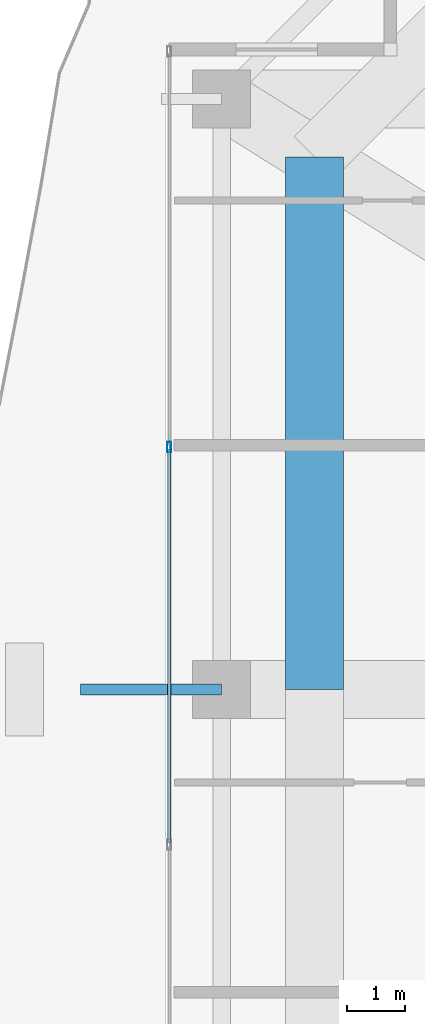
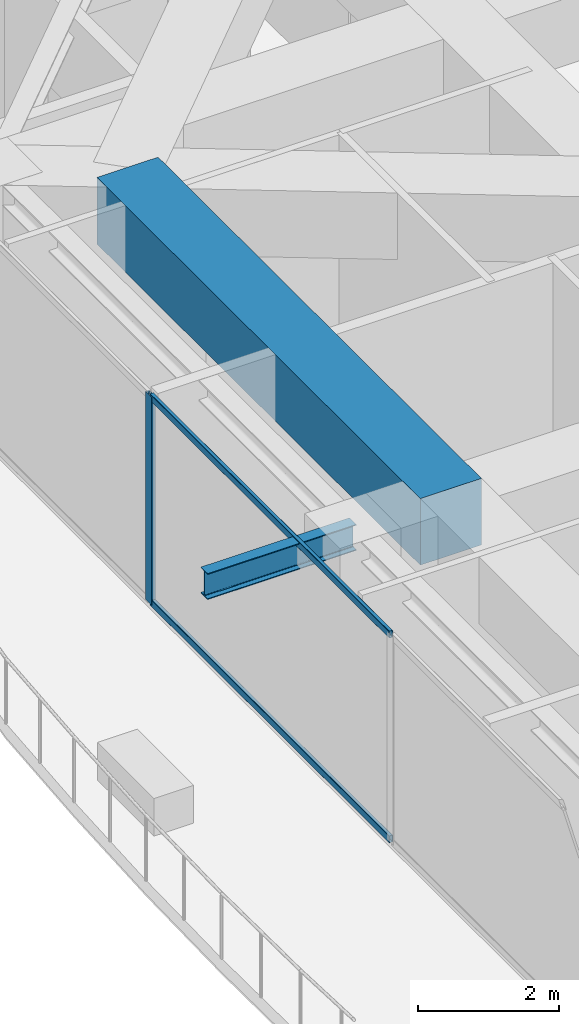
# One storey, part 11 of 40: 3 members, 2 beams, 1 element without a shape of its own.
"""IFC4 building model written with IfcOpenShell, lengths in metres."""

from ifc_helpers import new_model, si_unit, direction, frame, origin, origin_2d, place, context, subcontext, project, spatial, rectangle, hollow_rectangle, i_section, extrude, source, transform, mapped, material, layer, layer_set, material_profile, profile_set, type_object, element, aggregate, save


model = new_model("IFC4")

# Units and contexts
model_context = context("Model", 3, precision=1e-05, world=origin(), true_north=direction((0.0, 1.0)))
body_context = subcontext(model_context, "Body", "Model", "MODEL_VIEW")
ifc_project = project(units=[si_unit("LENGTHUNIT", "METRE"), si_unit("AREAUNIT", "SQUARE_METRE"), si_unit("VOLUMEUNIT", "CUBIC_METRE"), si_unit("PLANEANGLEUNIT", "RADIAN"), si_unit("MASSUNIT", "GRAM", prefix="KILO")], contexts=[model_context])

# Site, building, storey
site_placement = place(None, origin())
site = spatial("IfcSite", under=ifc_project, at=site_placement, CompositionType="ELEMENT")
building_placement = place(site_placement, origin())
building = spatial("IfcBuilding", under=site, at=building_placement, Name="Serunith Strait Residences", CompositionType="ELEMENT")
storey_placement = place(building_placement, frame((0.0, 0.0, 333.949951171875)))
storey = spatial("IfcBuildingStorey", under=building, at=storey_placement, Name="L83", CompositionType="ELEMENT", Elevation=333.949951171875)

# Beams
ifc_material_1 = material(Name="Concrete C80/95", Category="concrete")
ifc_material_profile_1 = material_profile(ifc_material_1, rectangle(XDim=1.0, YDim=1.14990234375, at=origin_2d()), Name="RC 1000x1150")
ifc_profile_set_1 = profile_set([ifc_material_profile_1], Name="Concrete C80/95")
beam_type_1 = type_object("IfcBeamType", Name="BM-XFER-1000x1150", PredefinedType="BEAM", material=ifc_profile_set_1)
shared_shape_1 = source(origin(), body_context, "Body", "SweptSolid", [
    extrude(rectangle(XDim=1.0, YDim=1.14990234375, at=origin_2d()), origin(), (0.0, 0.0, 1.0), 9.150146484375),
])
beam_1_placement = place(storey_placement, frame((11.699951171875, 38.550048828125, 3.03515625), z_axis=(0.0, -1.0, 0.0), x_axis=(1.0, 0.0, 0.0)))
element("IfcBeam", 1, at=beam_1_placement, inside=storey, type_object=beam_type_1, Name="L83 Flare Upper Ring Transfer Girder 13", PredefinedType="BEAM", context=body_context, shape_type="MappedRepresentation", body=[
    mapped(shared_shape_1, transform((0.0, 0.0, 0.0), scale=1.0)),
])
ifc_material_2 = material(Name="Steel S355J2", Category="steel")
ifc_material_profile_2 = material_profile(ifc_material_2, i_section(OverallWidth=0.18994140625, OverallDepth=0.449951171875, WebThickness=0.009521484375, FlangeThickness=0.0146484375, FilletRadius=0.02099609375, at=origin_2d()), Name="IPE 450")
ifc_profile_set_2 = profile_set([ifc_material_profile_2], Name="Steel S355J2")
beam_type_2 = type_object("IfcBeamType", Name="BM-IPE450", PredefinedType="JOIST", material=ifc_profile_set_2)
shared_shape_2 = source(origin(), body_context, "Body", "SweptSolid", [
    extrude(i_section(OverallWidth=0.18994140625, OverallDepth=0.449951171875, WebThickness=0.009521484375, FlangeThickness=0.0146484375, FilletRadius=0.02099609375, at=origin_2d()), origin(), (0.0, 0.0, 1.0), 2.42822265625),
])
beam_2_placement = place(storey_placement, frame((10.10009765625, 29.39990234375, 3.382080078125), z_axis=(-1.0, 0.0, 0.0), x_axis=(0.0, -1.0, 0.0)))
element("IfcBeam", 2, at=beam_2_placement, inside=storey, type_object=beam_type_2, Name="L84 Cantilevered Balcony Rib TC-W3", PredefinedType="JOIST", context=body_context, shape_type="MappedRepresentation", body=[
    mapped(shared_shape_2, transform((0.0, 0.0, 0.0), scale=1.0)),
])

# Curtain wall, members
ifc_material_3 = material(Name="Brushed Stainless-Silver Aluminium", Category="aluminium")
ifc_layer = layer(ifc_material_3, 0.199951171875, Name="Brushed Stainless-Silver Aluminium")
ifc_layer_set = layer_set([ifc_layer], Name="Brushed Stainless-Silver Aluminium")
curtain_wall_type = type_object("IfcCurtainWallType", Name="CW-SYS5", PredefinedType="NOTDEFINED", material=ifc_layer_set)
curtain_wall_placement = place(storey_placement, origin())
curtain_wall = element("IfcCurtainWall", 3, at=curtain_wall_placement, inside=storey, type_object=curtain_wall_type, Name="L83 W Unitised Fritted Curtain Wall", PredefinedType="NOTDEFINED")
ifc_material_profile_3 = material_profile(ifc_material_3, hollow_rectangle(XDim=0.06005859375, YDim=0.1201171875, WallThickness=0.00341796875, InnerFilletRadius=0.00537109375, OuterFilletRadius=0.0087890625, at=origin_2d()), Name="ALU 120x60x3.5")
ifc_profile_set_3 = profile_set([ifc_material_profile_3], Name="Brushed Stainless-Silver Aluminium")
member_type_1 = type_object("IfcMemberType", Name="CW-SYS5-TRAN", PredefinedType="USERDEFINED", material=ifc_profile_set_3)
shared_shape_3 = source(origin(), body_context, "Body", "SweptSolid", [
    extrude(hollow_rectangle(XDim=0.06005859375, YDim=0.1201171875, WallThickness=0.00341796875, InnerFilletRadius=0.00537109375, OuterFilletRadius=0.0087890625, at=origin_2d()), origin(), (0.0, 0.0, 1.0), 6.768310546875),
])
member_1_placement = place(storey_placement, frame((9.199951171875, 33.5341796875, 0.030029296875), z_axis=(0.0, -1.0, 0.0), x_axis=(1.0, 0.0, 0.0)))
member_1 = element("IfcMember", 4, at=member_1_placement, type_object=member_type_1, Name="CW-5 transom 2.1", ObjectType="TRANSOM", PredefinedType="USERDEFINED", context=body_context, shape_type="MappedRepresentation", body=[
    mapped(shared_shape_3, transform((0.0, 0.0, 0.0), scale=1.0)),
])
member_2_placement = place(storey_placement, frame((9.199951171875, 33.5341796875, 3.56494140625), z_axis=(0.0, -1.0, 0.0), x_axis=(1.0, 0.0, 0.0)))
member_2 = element("IfcMember", 5, at=member_2_placement, type_object=member_type_1, Name="CW-5 transom 2.2", ObjectType="TRANSOM", PredefinedType="USERDEFINED", context=body_context, shape_type="MappedRepresentation", body=[
    mapped(shared_shape_3, transform((0.0, 0.0, 0.0), scale=1.0)),
])
ifc_material_profile_4 = material_profile(ifc_material_3, hollow_rectangle(XDim=0.06494140625, YDim=0.179931640625, WallThickness=0.00341796875, InnerFilletRadius=0.00537109375, OuterFilletRadius=0.0087890625, at=origin_2d()), Name="ALU 180x65x3.5")
ifc_profile_set_4 = profile_set([ifc_material_profile_4], Name="Brushed Stainless-Silver Aluminium")
member_type_2 = type_object("IfcMemberType", Name="CW-SYS5-MULL", PredefinedType="MULLION", material=ifc_profile_set_4)
shared_shape_4 = source(origin(), body_context, "Body", "SweptSolid", [
    extrude(hollow_rectangle(XDim=0.06494140625, YDim=0.179931640625, WallThickness=0.00341796875, InnerFilletRadius=0.00537109375, OuterFilletRadius=0.0087890625, at=origin_2d()), origin(), (0.0, 0.0, 1.0), 3.594970703125),
])
member_3_placement = place(storey_placement, frame((9.199951171875, 33.566650390625, 0.0), z_axis=(0.0, 0.0, 1.0), x_axis=(1.0, 0.0, 0.0)))
member_3 = element("IfcMember", 6, at=member_3_placement, type_object=member_type_2, Name="CW-5 mullion 2", PredefinedType="MULLION", context=body_context, shape_type="MappedRepresentation", body=[
    mapped(shared_shape_4, transform((0.0, 0.0, 0.0), scale=1.0)),
])
aggregate(curtain_wall, [member_3, member_1, member_2])

save(model, "model.ifc")
